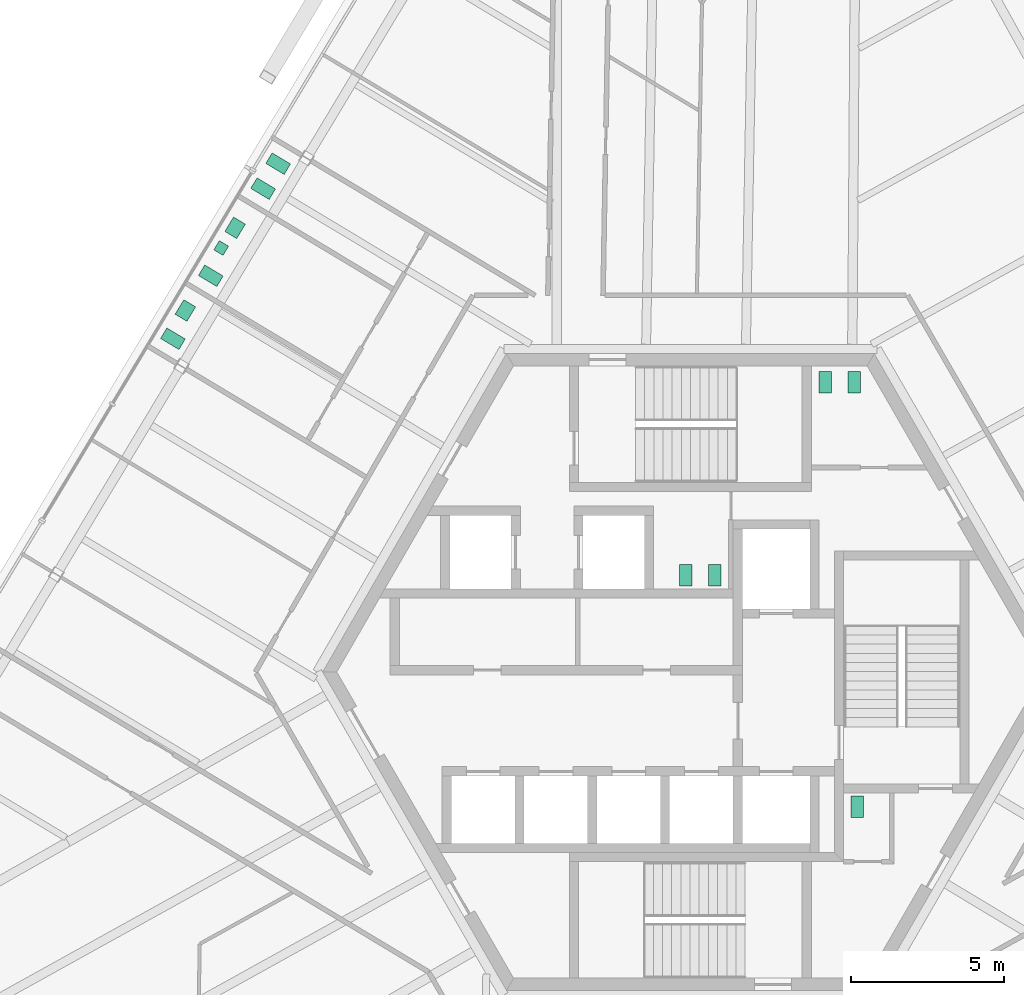
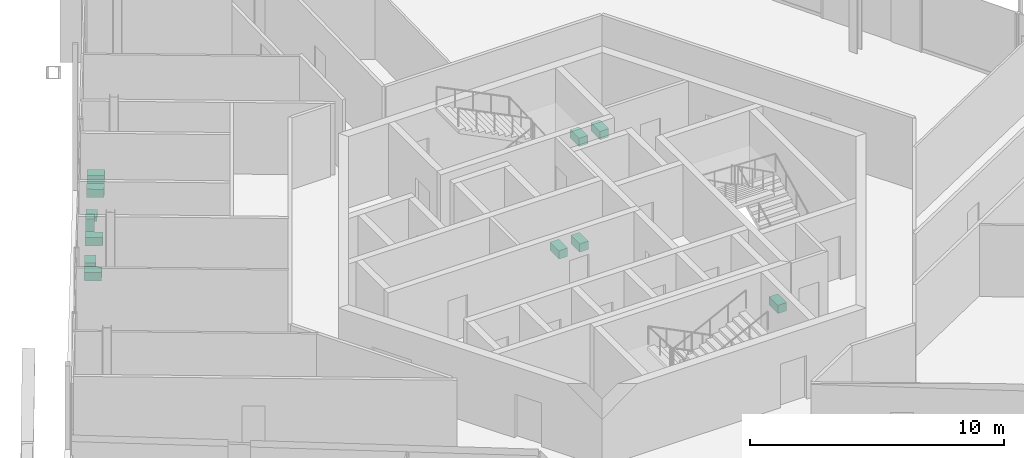
# One storey, part 19 of 21: 12 sanitary terminals.
"""IFC4 building model written with IfcOpenShell, lengths in metres."""

from ifc_helpers import new_model, si_unit, direction, frame, origin, origin_2d, place, context, subcontext, project, spatial, rectangle, extrude, source, transform, mapped, material, element, save


model = new_model("IFC4")

# Units and contexts
model_context = context("Model", 3, precision=1e-05, world=origin(), true_north=direction((0.0, 1.0)))
body_context = subcontext(model_context, "Body", "Model", "MODEL_VIEW")
ifc_project = project(units=[si_unit("LENGTHUNIT", "METRE"), si_unit("AREAUNIT", "SQUARE_METRE"), si_unit("VOLUMEUNIT", "CUBIC_METRE"), si_unit("PLANEANGLEUNIT", "RADIAN"), si_unit("MASSUNIT", "GRAM", prefix="KILO")], contexts=[model_context])

# Site, building, storey
site_placement = place(None, origin())
site = spatial("IfcSite", under=ifc_project, at=site_placement, CompositionType="ELEMENT")
building_placement = place(site_placement, origin())
building = spatial("IfcBuilding", under=site, at=building_placement, Name="Triune Harvest Tower", CompositionType="ELEMENT")
storey_placement = place(building_placement, frame((0.0, 0.0, 187.10009765625)))
storey = spatial("IfcBuildingStorey", under=building, at=storey_placement, Name="L48", CompositionType="ELEMENT", Elevation=187.10009765625)

# Sanitary terminals
ifc_material = material(Name="Vitreous china")
shared_shape_1 = source(origin(), body_context, "Body", "SweptSolid", [
    extrude(rectangle(XDim=0.39990234375, YDim=0.699951171875, at=origin_2d()), origin(), (0.0, 0.0, 1.0), 0.39990234375),
])
for number, where, z_axis, x_axis, name in (
    (1, (4.39990234375, 9.449951171875, 0.0), (0.0, 0.0, 1.0), (1.0, 0.0, 0.0), "Toilet pan L48.c01"),
    (2, (5.35009765625, 9.449951171875, 0.0), (0.0, 0.0, 1.0), (1.0, 0.0, 0.0), "Toilet pan L48.c02"),
    (3, (0.800048828125, 3.159912109375, 0.0), (0.0, 0.0, 1.0), (-1.0, 0.0, 0.0), "Toilet pan L48.c03"),
    (4, (-0.14990234375, 3.159912109375, 0.0), (0.0, 0.0, 1.0), (-1.0, 0.0, 0.0), "Toilet pan L48.c04"),
    (5, (5.449951171875, -4.39990234375, 0.0), (0.0, 0.0, 1.0), (1.0, 0.0, 0.0), "Toilet pan L48.c05"),
    (6, (-13.943359375, 15.776123046875, 0.0), (0.0, 0.0, 1.0), (0.51506799538, 0.85714932196, 0.0), "Toilet pan 01"),
    (7, (-13.4541015625, 16.59033203125, 0.0), (0.0, 0.0, 1.0), (0.51506799538, 0.85714932196, 0.0), "Toilet pan 02"),
    (8, (-15.6513671875, 12.933349609375, 0.0), (0.0, 0.0, 1.0), (0.51503807491, 0.857167300702, 0.0), "Toilet pan 03"),
    (9, (-16.887451171875, 10.876220703125, 0.0), (0.0, 0.0, 1.0), (0.515008153813, 0.8571852784, 0.0), "Toilet pan 06"),
):
    element("IfcSanitaryTerminal", number, at=place(storey_placement, frame(where, z_axis=z_axis, x_axis=x_axis)), inside=storey, material=ifc_material, Name=name, PredefinedType="TOILETPAN", context=body_context, shape_type="MappedRepresentation", body=[
        mapped(shared_shape_1, transform((0.0, 0.0, 0.0), scale=1.0)),
    ])
shared_shape_2 = source(origin(), body_context, "Body", "SweptSolid", [
    extrude(rectangle(XDim=0.35009765625, YDim=0.35009765625, at=origin_2d()), origin(), (0.0, 0.0, 1.0), 0.60009765625),
])
sanitary_terminal_placement = place(storey_placement, frame((-15.31201171875, 13.837890625, -0.000244140625), z_axis=(0.0, 0.0, 1.0), x_axis=(0.51503807491, 0.857167300702, 0.0)))
element("IfcSanitaryTerminal", 10, at=sanitary_terminal_placement, inside=storey, material=ifc_material, Name="Urinal 04", PredefinedType="URINAL", context=body_context, shape_type="MappedRepresentation", body=[
    mapped(shared_shape_2, transform((0.0, 0.0, 0.0), scale=1.0)),
])
shared_shape_3 = source(origin(), body_context, "Body", "SweptSolid", [
    extrude(rectangle(XDim=0.550048828125, YDim=0.449951171875, at=origin_2d()), origin(), (0.0, 0.0, 1.0), 0.199951171875),
])
for number, where, z_axis, x_axis, name in (
    (11, (-14.857177734375, 14.497802734375, 0.0), (0.0, 0.0, 1.0), (0.51503807491, 0.857167300702, 0.0), "Wash basin 05"),
    (12, (-16.4794921875, 11.7978515625, 0.0), (0.0, 0.0, 1.0), (0.515008153813, 0.8571852784, 0.0), "Wash basin 07"),
):
    element("IfcSanitaryTerminal", number, at=place(storey_placement, frame(where, z_axis=z_axis, x_axis=x_axis)), inside=storey, material=ifc_material, Name=name, PredefinedType="WASHHANDBASIN", context=body_context, shape_type="MappedRepresentation", body=[
        mapped(shared_shape_3, transform((0.0, 0.0, 0.0), scale=1.0)),
    ])

save(model, "model.ifc")
